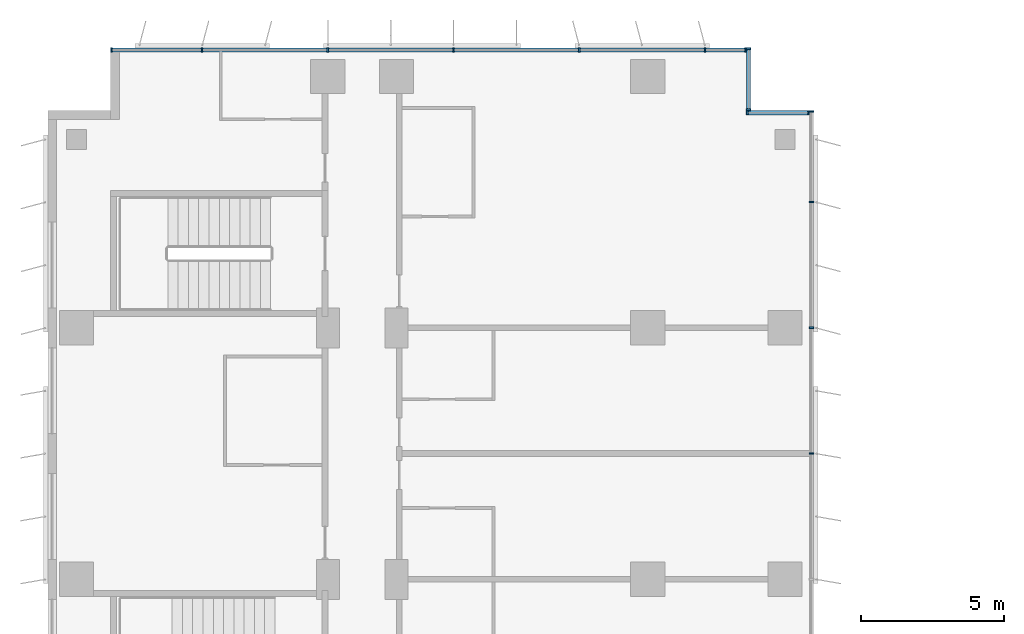
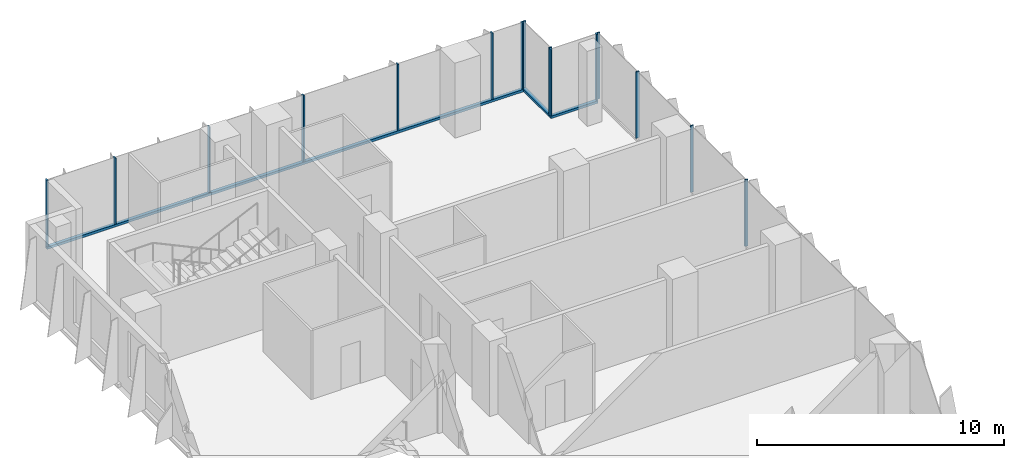
# One storey, part 9 of 22: 18 members, 4 elements without a shape of their own.
"""IFC4 building model written with IfcOpenShell, lengths in metres."""

from ifc_helpers import new_model, si_unit, direction, frame, origin, origin_2d, place, context, subcontext, project, spatial, rectangle, extrude, source, transform, mapped, material, material_profile, profile_set, type_object, element, aggregate, save


model = new_model("IFC4")

# Units and contexts
model_context = context("Model", 3, precision=1e-05, world=origin(), true_north=direction((0.0, 1.0)))
body_context = subcontext(model_context, "Body", "Model", "MODEL_VIEW")
ifc_project = project(units=[si_unit("LENGTHUNIT", "METRE"), si_unit("AREAUNIT", "SQUARE_METRE"), si_unit("VOLUMEUNIT", "CUBIC_METRE"), si_unit("PLANEANGLEUNIT", "RADIAN"), si_unit("MASSUNIT", "GRAM", prefix="KILO")], contexts=[model_context])

# Site, building, storey
site_placement = place(None, origin())
site = spatial("IfcSite", under=ifc_project, at=site_placement, CompositionType="ELEMENT")
building_placement = place(site_placement, origin())
building = spatial("IfcBuilding", under=site, at=building_placement, Name="Kemantara Hotel Tower", CompositionType="ELEMENT")
storey_placement = place(building_placement, frame((0.0, 0.0, 90.800048828125)))
storey = spatial("IfcBuildingStorey", under=building, at=storey_placement, Name="L21", CompositionType="ELEMENT", Elevation=90.800048828125)

# Curtain wall, member
ifc_material_1 = material(Name="Low-E tinted double insulated glass 36 mm", Category="glass")
curtain_wall_type = type_object("IfcCurtainWallType", Name="TOWER CURTAIN WALL, FRONT FACES", PredefinedType="USERDEFINED", material=ifc_material_1)
curtain_wall_1_placement = place(storey_placement, origin())
curtain_wall_1 = element("IfcCurtainWall", 1, at=curtain_wall_1_placement, inside=storey, type_object=curtain_wall_type, Name="CW4 L21 T2-R01-1", ObjectType="TOWER CURTAIN WALL, FRONT FACES", PredefinedType="USERDEFINED")
ifc_material_2 = material(Name="Aluminium 6063-T6 bronze anodised", Category="aluminium")
ifc_material_profile_1 = material_profile(ifc_material_2, rectangle(XDim=0.14990234375, YDim=0.1201171875, at=origin_2d()), Name="TOWER CURTAIN WALL, FRONT FACES TRANSOM")
ifc_profile_set_1 = profile_set([ifc_material_profile_1], Name="Aluminium 6063-T6 bronze anodised")
member_type_1 = type_object("IfcMemberType", Name="TOWER CURTAIN WALL, FRONT FACES TRANSOM", PredefinedType="USERDEFINED", material=ifc_profile_set_1)
member_1_placement = place(storey_placement, frame((24.449951171875, 81.125, 0.06005859375), z_axis=(-1.0, 0.0, 0.0), x_axis=(0.0, -1.0, 0.0)))
member_1 = element("IfcMember", 2, at=member_1_placement, type_object=member_type_1, Name="CW4 sill transom T2-R01-1", ObjectType="TRANSOM", PredefinedType="USERDEFINED", context=body_context, shape_type="SweptSolid", body=[
    extrude(rectangle(XDim=0.14990234375, YDim=0.1201171875, at=origin_2d()), origin(), (0.0, 0.0, 1.0), 22.25),
])

curtain_wall_2_placement = place(storey_placement, origin())
curtain_wall_2 = element("IfcCurtainWall", 3, at=curtain_wall_2_placement, inside=storey, type_object=curtain_wall_type, Name="CW4 L21 T2-R00-1", ObjectType="TOWER CURTAIN WALL, FRONT FACES", PredefinedType="USERDEFINED")
member_2_placement = place(storey_placement, frame((24.52490234375, 79.0, 0.06005859375), z_axis=(0.0, 1.0, 0.0), x_axis=(-1.0, 0.0, 0.0)))
member_2 = element("IfcMember", 4, at=member_2_placement, type_object=member_type_1, Name="CW4 sill transom T2-R00-1", ObjectType="TRANSOM", PredefinedType="USERDEFINED", context=body_context, shape_type="SweptSolid", body=[
    extrude(rectangle(XDim=0.14990234375, YDim=0.1201171875, at=origin_2d()), origin(), (0.0, 0.0, 1.0), 2.199951171875),
])

curtain_wall_3_placement = place(storey_placement, origin())
curtain_wall_3 = element("IfcCurtainWall", 5, at=curtain_wall_3_placement, inside=storey, type_object=curtain_wall_type, Name="CW4 L21 T2-R15-1", ObjectType="TOWER CURTAIN WALL, FRONT FACES", PredefinedType="USERDEFINED")
member_3_placement = place(storey_placement, frame((26.64990234375, 78.925048828125, 0.06005859375), z_axis=(-1.0, 0.0, 0.0), x_axis=(0.0, -1.0, 0.0)))
member_3 = element("IfcMember", 6, at=member_3_placement, type_object=member_type_1, Name="CW4 sill transom T2-R15-1", ObjectType="TRANSOM", PredefinedType="USERDEFINED", context=body_context, shape_type="SweptSolid", body=[
    extrude(rectangle(XDim=0.14990234375, YDim=0.1201171875, at=origin_2d()), origin(), (0.0, 0.0, 1.0), 2.199951171875),
])

# Member
ifc_material_profile_2 = material_profile(ifc_material_2, rectangle(XDim=0.14990234375, YDim=0.06005859375, at=origin_2d()), Name="TOWER CURTAIN WALL, FRONT FACES MULLION")
ifc_profile_set_2 = profile_set([ifc_material_profile_2], Name="Aluminium 6063-T6 bronze anodised")
member_type_2 = type_object("IfcMemberType", Name="TOWER CURTAIN WALL, FRONT FACES MULLION", PredefinedType="MULLION", material=ifc_profile_set_2)
shared_shape = source(origin(), body_context, "Body", "SweptSolid", [
    extrude(rectangle(XDim=0.14990234375, YDim=0.06005859375, at=origin_2d()), origin(), (0.0, 0.0, 1.0), 3.280029296875),
])
member_4_placement = place(storey_placement, frame((24.419921875, 81.125, 0.119873046875), z_axis=(0.0, 0.0, 1.0), x_axis=(0.0, -1.0, 0.0)))
member_4 = element("IfcMember", 7, at=member_4_placement, type_object=member_type_2, Name="CW4 mullion T2-R01-1.1", PredefinedType="MULLION", context=body_context, shape_type="MappedRepresentation", body=[
    mapped(shared_shape, transform((0.0, 0.0, 0.0))),
])

member_5_placement = place(storey_placement, frame((23.0, 81.125, 0.119873046875), z_axis=(0.0, 0.0, 1.0), x_axis=(0.0, -1.0, 0.0)))
member_5 = element("IfcMember", 8, at=member_5_placement, type_object=member_type_2, Name="CW4 mullion T2-R01-1.2", PredefinedType="MULLION", context=body_context, shape_type="MappedRepresentation", body=[
    mapped(shared_shape, transform((0.0, 0.0, 0.0))),
])

member_6_placement = place(storey_placement, frame((18.60009765625, 81.125, 0.119873046875), z_axis=(0.0, 0.0, 1.0), x_axis=(0.0, -1.0, 0.0)))
member_6 = element("IfcMember", 9, at=member_6_placement, type_object=member_type_2, Name="CW4 mullion T2-R01-1.3", PredefinedType="MULLION", context=body_context, shape_type="MappedRepresentation", body=[
    mapped(shared_shape, transform((0.0, 0.0, 0.0))),
])

member_7_placement = place(storey_placement, frame((14.199951171875, 81.125, 0.119873046875), z_axis=(0.0, 0.0, 1.0), x_axis=(0.0, -1.0, 0.0)))
member_7 = element("IfcMember", 10, at=member_7_placement, type_object=member_type_2, Name="CW4 mullion T2-R01-1.4", PredefinedType="MULLION", context=body_context, shape_type="MappedRepresentation", body=[
    mapped(shared_shape, transform((0.0, 0.0, 0.0))),
])

member_8_placement = place(storey_placement, frame((9.800048828125, 81.125, 0.119873046875), z_axis=(0.0, 0.0, 1.0), x_axis=(0.0, -1.0, 0.0)))
member_8 = element("IfcMember", 11, at=member_8_placement, type_object=member_type_2, Name="CW4 mullion T2-R01-1.5", PredefinedType="MULLION", context=body_context, shape_type="MappedRepresentation", body=[
    mapped(shared_shape, transform((0.0, 0.0, 0.0))),
])

member_9_placement = place(storey_placement, frame((5.39990234375, 81.125, 0.119873046875), z_axis=(0.0, 0.0, 1.0), x_axis=(0.0, -1.0, 0.0)))
member_9 = element("IfcMember", 12, at=member_9_placement, type_object=member_type_2, Name="CW4 mullion T2-R01-1.6", PredefinedType="MULLION", context=body_context, shape_type="MappedRepresentation", body=[
    mapped(shared_shape, transform((0.0, 0.0, 0.0))),
])

member_10_placement = place(storey_placement, frame((2.22998046875, 81.125, 0.119873046875), z_axis=(0.0, 0.0, 1.0), x_axis=(0.0, -1.0, 0.0)))
member_10 = element("IfcMember", 13, at=member_10_placement, type_object=member_type_2, Name="CW4 mullion T2-R01-1.7", PredefinedType="MULLION", context=body_context, shape_type="MappedRepresentation", body=[
    mapped(shared_shape, transform((0.0, 0.0, 0.0))),
])

aggregate(curtain_wall_1, [member_1, member_4, member_5, member_6, member_7, member_8, member_9, member_10])

# Curtain wall, members
curtain_wall_4_placement = place(storey_placement, origin())
curtain_wall_4 = element("IfcCurtainWall", 14, at=curtain_wall_4_placement, inside=storey, type_object=curtain_wall_type, Name="CW4 L21 T2-R14-1", ObjectType="TOWER CURTAIN WALL, FRONT FACES", PredefinedType="USERDEFINED")
member_11_placement = place(storey_placement, frame((26.72509765625, 67.0, 0.119873046875), z_axis=(0.0, 0.0, 1.0), x_axis=(-1.0, 0.0, 0.0)))
member_11 = element("IfcMember", 15, at=member_11_placement, type_object=member_type_2, Name="CW4 mullion T2-R14-1.12", PredefinedType="MULLION", context=body_context, shape_type="MappedRepresentation", body=[
    mapped(shared_shape, transform((0.0, 0.0, 0.0))),
])
member_12_placement = place(storey_placement, frame((26.72509765625, 71.39990234375, 0.119873046875), z_axis=(0.0, 0.0, 1.0), x_axis=(-1.0, 0.0, 0.0)))
member_12 = element("IfcMember", 16, at=member_12_placement, type_object=member_type_2, Name="CW4 mullion T2-R14-1.13", PredefinedType="MULLION", context=body_context, shape_type="MappedRepresentation", body=[
    mapped(shared_shape, transform((0.0, 0.0, 0.0))),
])
member_13_placement = place(storey_placement, frame((26.72509765625, 75.800048828125, 0.119873046875), z_axis=(0.0, 0.0, 1.0), x_axis=(-1.0, 0.0, 0.0)))
member_13 = element("IfcMember", 17, at=member_13_placement, type_object=member_type_2, Name="CW4 mullion T2-R14-1.14", PredefinedType="MULLION", context=body_context, shape_type="MappedRepresentation", body=[
    mapped(shared_shape, transform((0.0, 0.0, 0.0))),
])
member_14_placement = place(storey_placement, frame((26.72509765625, 78.969970703125, 0.119873046875), z_axis=(0.0, 0.0, 1.0), x_axis=(-1.0, 0.0, 0.0)))
member_14 = element("IfcMember", 18, at=member_14_placement, type_object=member_type_2, Name="CW4 mullion T2-R14-1.15", PredefinedType="MULLION", context=body_context, shape_type="MappedRepresentation", body=[
    mapped(shared_shape, transform((0.0, 0.0, 0.0))),
])
aggregate(curtain_wall_4, [member_11, member_12, member_13, member_14])

# Member
member_15_placement = place(storey_placement, frame((24.52490234375, 79.030029296875, 0.119873046875), z_axis=(0.0, 0.0, 1.0), x_axis=(-1.0, 0.0, 0.0)))
member_15 = element("IfcMember", 19, at=member_15_placement, type_object=member_type_2, Name="CW4 mullion T2-R00-1.1", PredefinedType="MULLION", context=body_context, shape_type="MappedRepresentation", body=[
    mapped(shared_shape, transform((0.0, 0.0, 0.0))),
])

member_16_placement = place(storey_placement, frame((24.52490234375, 81.169921875, 0.119873046875), z_axis=(0.0, 0.0, 1.0), x_axis=(-1.0, 0.0, 0.0)))
member_16 = element("IfcMember", 20, at=member_16_placement, type_object=member_type_2, Name="CW4 mullion T2-R00-1.2", PredefinedType="MULLION", context=body_context, shape_type="MappedRepresentation", body=[
    mapped(shared_shape, transform((0.0, 0.0, 0.0))),
])

aggregate(curtain_wall_2, [member_2, member_15, member_16])

member_17_placement = place(storey_placement, frame((26.6201171875, 78.925048828125, 0.119873046875), z_axis=(0.0, 0.0, 1.0), x_axis=(0.0, -1.0, 0.0)))
member_17 = element("IfcMember", 21, at=member_17_placement, type_object=member_type_2, Name="CW4 mullion T2-R15-1.1", PredefinedType="MULLION", context=body_context, shape_type="MappedRepresentation", body=[
    mapped(shared_shape, transform((0.0, 0.0, 0.0))),
])

member_18_placement = place(storey_placement, frame((24.47998046875, 78.925048828125, 0.119873046875), z_axis=(0.0, 0.0, 1.0), x_axis=(0.0, -1.0, 0.0)))
member_18 = element("IfcMember", 22, at=member_18_placement, type_object=member_type_2, Name="CW4 mullion T2-R15-1.2", PredefinedType="MULLION", context=body_context, shape_type="MappedRepresentation", body=[
    mapped(shared_shape, transform((0.0, 0.0, 0.0))),
])

aggregate(curtain_wall_3, [member_3, member_17, member_18])

save(model, "model.ifc")
